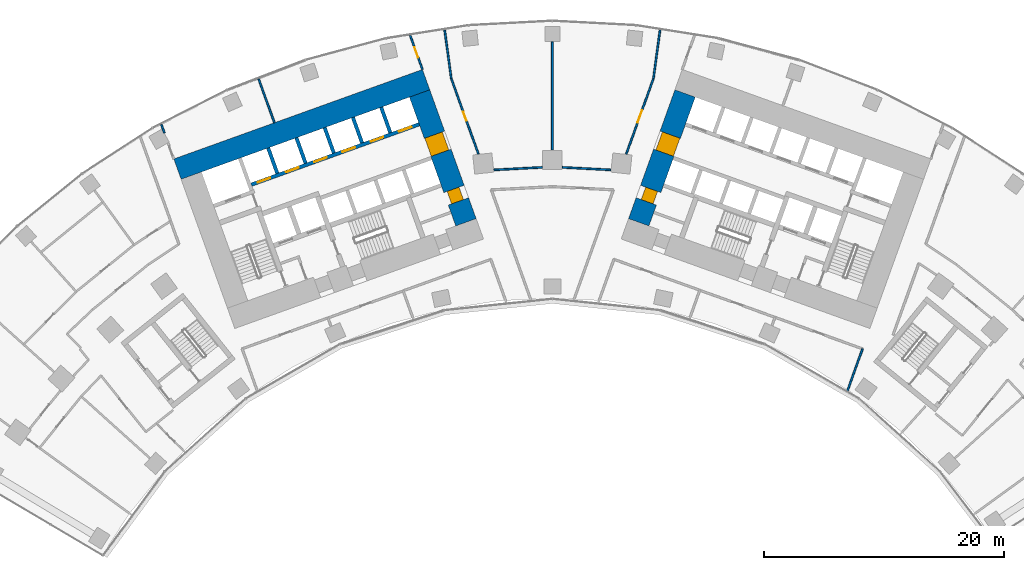
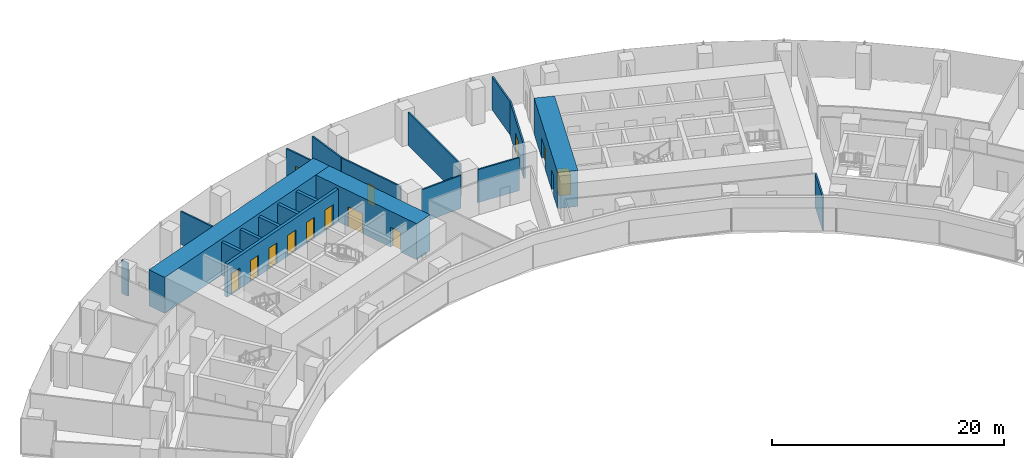
# One storey, part 16 of 21: 20 walls, 13 doors, 13 openings.
"""IFC4 building model written with IfcOpenShell, lengths in metres."""

from ifc_helpers import new_model, si_unit, direction, frame, frame_2d, origin, place, context, subcontext, project, spatial, rectangle, extrude, material, layer, layer_set, type_object, element, fill, save


model = new_model("IFC4")

# Units and contexts
model_context = context("Model", 3, precision=1e-05, world=origin(), true_north=direction((0.0, 1.0)))
body_context = subcontext(model_context, "Body", "Model", "MODEL_VIEW")
ifc_project = project(units=[si_unit("LENGTHUNIT", "METRE"), si_unit("AREAUNIT", "SQUARE_METRE"), si_unit("VOLUMEUNIT", "CUBIC_METRE"), si_unit("PLANEANGLEUNIT", "RADIAN"), si_unit("MASSUNIT", "GRAM", prefix="KILO")], contexts=[model_context])

# Site, building, storey
site_placement = place(None, origin())
site = spatial("IfcSite", under=ifc_project, at=site_placement, CompositionType="ELEMENT")
building_placement = place(site_placement, origin())
building = spatial("IfcBuilding", under=site, at=building_placement, Name="Stone Belt Terrace Tower", CompositionType="ELEMENT")
storey_placement = place(building_placement, frame((0.0, 0.0, 45.199951171875)))
storey = spatial("IfcBuildingStorey", under=building, at=storey_placement, Name="L10", CompositionType="ELEMENT", Elevation=45.199951171875)

# Wall
ifc_material_1 = material(Name="Concrete B80", Category="concrete")
ifc_layer_1 = layer(ifc_material_1, 1.800048828125)
ifc_layer_set_1 = layer_set([ifc_layer_1], Name="Core wall 1800 B80")
wall_type_1 = type_object("IfcWallType", Name="Core wall 1800 B80", PredefinedType="SHEAR", material=ifc_layer_set_1)
wall_1_placement = place(storey_placement, frame((-31.20947265625, 54.23583984375, 0.0), z_axis=(0.0, 0.0, 1.0), x_axis=(0.940922914687, 0.338620833112, 0.0)))
element("IfcWall", 1, at=wall_1_placement, inside=storey, type_object=wall_type_1, Name="Core A wall convex L10", PredefinedType="SHEAR", context=body_context, shape_type="SweptSolid", body=[
    extrude(rectangle(XDim=22.000244140625, YDim=1.800048828125, at=frame_2d((11.0, 0.0))), origin(), (0.0, 0.0, 1.0), 3.800048828125),
])

# Wall, openings, doors
wall_2_placement = place(storey_placement, frame((-7.19091796875, 49.8076171875, 0.0), z_axis=(0.0, 0.0, 1.0), x_axis=(-0.338632255135, 0.940918804033, 0.0)))
wall_2 = element("IfcWall", 2, at=wall_2_placement, inside=storey, type_object=wall_type_1, Name="Core A wall end_b L10", PredefinedType="SHEAR", context=body_context, shape_type="SweptSolid", body=[
    extrude(rectangle(XDim=11.39990234375, YDim=1.800048828125, at=frame_2d((5.699951171875, 0.0))), origin(), (0.0, 0.0, 1.0), 3.800048828125),
])
opening_1_placement = place(wall_2_placement, frame((6.14990234375, 0.0, 0.0)))
opening_1 = element("IfcOpeningElement", 3, at=opening_1_placement, cuts=wall_2, Name="Opening L10-C02", PredefinedType="OPENING", context=body_context, shape_type="SweptSolid", body=[
    extrude(rectangle(XDim=1.60009765625, YDim=2.10009765625, at=frame_2d((0.800048828125, 1.050048828125))), frame((0.0, 0.909912109375, 0.0), z_axis=(0.0, -1.0, 0.0), x_axis=(1.0, 0.0, 0.0)), (0.0, 0.0, 1.0), 1.820068359375),
])
opening_2_placement = place(wall_2_placement, frame((1.85009765625, 0.0, 0.0)))
opening_2 = element("IfcOpeningElement", 4, at=opening_2_placement, cuts=wall_2, Name="Opening L10-C08", PredefinedType="OPENING", context=body_context, shape_type="SweptSolid", body=[
    extrude(rectangle(XDim=1.10009765625, YDim=2.10009765625, at=frame_2d((0.550048828125, 1.050048828125))), frame((0.0, 0.909912109375, 0.0), z_axis=(0.0, -1.0, 0.0), x_axis=(1.0, 0.0, 0.0)), (0.0, 0.0, 1.0), 1.820068359375),
])
ifc_material_2 = material(Name="Timber door leaf", Category="wood")
door_type_1 = type_object("IfcDoorType", Name="Core room door 1100", OperationType="SINGLE_SWING_LEFT", PredefinedType="DOOR", material=ifc_material_2)
door_1_placement = place(opening_2_placement, origin())
door_1 = element("IfcDoor", 5, at=door_1_placement, inside=storey, type_object=door_type_1, Name="Door to Accessible WC core A", OperationType="SINGLE_SWING_LEFT", OverallHeight=2.10009765625, OverallWidth=1.10009765625, PredefinedType="DOOR", context=body_context, shape_type="SweptSolid", body=[
    extrude(rectangle(XDim=1.10009765625, YDim=2.10009765625, at=frame_2d((0.550048828125, 1.050048828125))), frame((0.0, 0.60498046875, 0.0), z_axis=(0.0, -1.0, 0.0), x_axis=(1.0, 0.0, 0.0)), (0.0, 0.0, 1.0), 1.050048828125),
])
fill(opening_2, door_1)
ifc_material_3 = material(Name="Glazed aluminium door leaf", Category="aluminium")
door_type_2 = type_object("IfcDoorType", Name="Lift lobby entrance door 1600", OperationType="DOUBLE_DOOR_SINGLE_SWING", PredefinedType="DOOR", material=ifc_material_3)
door_2_placement = place(opening_1_placement, origin())
door_2 = element("IfcDoor", 6, at=door_2_placement, inside=storey, type_object=door_type_2, Name="Lift lobby entrance door core A", OperationType="DOUBLE_DOOR_SINGLE_SWING", OverallHeight=2.10009765625, OverallWidth=1.60009765625, PredefinedType="DOOR", context=body_context, shape_type="SweptSolid", body=[
    extrude(rectangle(XDim=1.60009765625, YDim=2.10009765625, at=frame_2d((0.800048828125, 1.050048828125))), frame((0.0, 0.85498046875, 0.0), z_axis=(0.0, -1.0, 0.0), x_axis=(1.0, 0.0, 0.0)), (0.0, 0.0, 1.0), 1.550048828125),
])
fill(opening_1, door_2)

wall_3_placement = place(storey_placement, frame((7.19091796875, 49.8076171875, 0.0), z_axis=(0.0, 0.0, 1.0), x_axis=(0.338632255135, 0.940918804033, 0.0)))
wall_3 = element("IfcWall", 7, at=wall_3_placement, inside=storey, type_object=wall_type_1, Name="Core B wall end_a L10", PredefinedType="SHEAR", context=body_context, shape_type="SweptSolid", body=[
    extrude(rectangle(XDim=11.39990234375, YDim=1.800048828125, at=frame_2d((5.699951171875, 0.0))), origin(), (0.0, 0.0, 1.0), 3.800048828125),
])
opening_3_placement = place(wall_3_placement, frame((6.14990234375, 0.0, 0.0)))
opening_3 = element("IfcOpeningElement", 8, at=opening_3_placement, cuts=wall_3, Name="Opening L10-C11", PredefinedType="OPENING", context=body_context, shape_type="SweptSolid", body=[
    extrude(rectangle(XDim=1.60009765625, YDim=2.10009765625, at=frame_2d((0.800048828125, 1.050048828125))), frame((0.0, 0.909912109375, 0.0), z_axis=(0.0, -1.0, 0.0), x_axis=(1.0, 0.0, 0.0)), (0.0, 0.0, 1.0), 1.820068359375),
])
opening_4_placement = place(wall_3_placement, frame((1.85009765625, 0.0, 0.0)))
opening_4 = element("IfcOpeningElement", 9, at=opening_4_placement, cuts=wall_3, Name="Opening L10-C17", PredefinedType="OPENING", context=body_context, shape_type="SweptSolid", body=[
    extrude(rectangle(XDim=1.10009765625, YDim=2.10009765625, at=frame_2d((0.550048828125, 1.050048828125))), frame((0.0, 0.909912109375, 0.0), z_axis=(0.0, -1.0, 0.0), x_axis=(1.0, 0.0, 0.0)), (0.0, 0.0, 1.0), 1.820068359375),
])
door_3_placement = place(opening_4_placement, origin())
door_3 = element("IfcDoor", 10, at=door_3_placement, inside=storey, type_object=door_type_1, Name="Door to Accessible WC core B", OperationType="SINGLE_SWING_RIGHT", OverallHeight=2.10009765625, OverallWidth=1.10009765625, PredefinedType="DOOR", context=body_context, shape_type="SweptSolid", body=[
    extrude(rectangle(XDim=1.10009765625, YDim=2.10009765625, at=frame_2d((0.550048828125, 1.050048828125))), frame((0.0, 0.44482421875, 0.0), z_axis=(0.0, -1.0, 0.0), x_axis=(1.0, 0.0, 0.0)), (0.0, 0.0, 1.0), 1.050048828125),
])
fill(opening_4, door_3)
door_4_placement = place(opening_3_placement, origin())
door_4 = element("IfcDoor", 11, at=door_4_placement, inside=storey, type_object=door_type_2, Name="Lift lobby entrance door core B", OperationType="DOUBLE_DOOR_SINGLE_SWING", OverallHeight=2.10009765625, OverallWidth=1.60009765625, PredefinedType="DOOR", context=body_context, shape_type="SweptSolid", body=[
    extrude(rectangle(XDim=1.60009765625, YDim=2.10009765625, at=frame_2d((0.800048828125, 1.050048828125))), frame((0.0, 0.69482421875, 0.0), z_axis=(0.0, -1.0, 0.0), x_axis=(1.0, 0.0, 0.0)), (0.0, 0.0, 1.0), 1.550048828125),
])
fill(opening_3, door_4)

ifc_layer_2 = layer(ifc_material_1, 0.300048828125)
ifc_layer_set_2 = layer_set([ifc_layer_2], Name="Lift shaft wall 300")
wall_type_2 = type_object("IfcWallType", Name="Lift shaft wall 300", PredefinedType="SHEAR", material=ifc_layer_set_2)
wall_4_placement = place(storey_placement, frame((-25.05810546875, 52.9423828125, 0.0), z_axis=(0.0, 0.0, 1.0), x_axis=(0.940918215764, 0.338633889685, 0.0)))
wall_4 = element("IfcWall", 12, at=wall_4_placement, inside=storey, type_object=wall_type_2, Name="Core A wall", PredefinedType="SHEAR", context=body_context, shape_type="SweptSolid", body=[
    extrude(rectangle(XDim=14.850341796875, YDim=0.300048828125, at=frame_2d((7.42529296875, 0.0))), origin(), (0.0, 0.0, 1.0), 3.47998046875),
])
opening_5_placement = place(wall_4_placement, frame((0.570068359375, 0.0, 0.0)))
opening_5 = element("IfcOpeningElement", 13, at=opening_5_placement, cuts=wall_4, Name="Opening L10-LD01", PredefinedType="OPENING", context=body_context, shape_type="SweptSolid", body=[
    extrude(rectangle(XDim=1.10009765625, YDim=2.199951171875, at=frame_2d((0.550048828125, 1.10009765625))), frame((0.0, 0.159912109375, 0.0), z_axis=(0.0, -1.0, 0.0), x_axis=(1.0, 0.0, 0.0)), (0.0, 0.0, 1.0), 0.320068359375),
])
opening_6_placement = place(wall_4_placement, frame((3.070068359375, 0.0, 0.0)))
opening_6 = element("IfcOpeningElement", 14, at=opening_6_placement, cuts=wall_4, Name="Opening L10-LD02", PredefinedType="OPENING", context=body_context, shape_type="SweptSolid", body=[
    extrude(rectangle(XDim=1.10009765625, YDim=2.199951171875, at=frame_2d((0.550048828125, 1.10009765625))), frame((0.0, 0.159912109375, 0.0), z_axis=(0.0, -1.0, 0.0), x_axis=(1.0, 0.0, 0.0)), (0.0, 0.0, 1.0), 0.320068359375),
])
opening_7_placement = place(wall_4_placement, frame((5.570068359375, 0.0, 0.0)))
opening_7 = element("IfcOpeningElement", 15, at=opening_7_placement, cuts=wall_4, Name="Opening L10-LD03", PredefinedType="OPENING", context=body_context, shape_type="SweptSolid", body=[
    extrude(rectangle(XDim=1.10009765625, YDim=2.199951171875, at=frame_2d((0.550048828125, 1.10009765625))), frame((0.0, 0.159912109375, 0.0), z_axis=(0.0, -1.0, 0.0), x_axis=(1.0, 0.0, 0.0)), (0.0, 0.0, 1.0), 0.320068359375),
])
opening_8_placement = place(wall_4_placement, frame((8.070068359375, 0.0, 0.0)))
opening_8 = element("IfcOpeningElement", 16, at=opening_8_placement, cuts=wall_4, Name="Opening L10-LD04", PredefinedType="OPENING", context=body_context, shape_type="SweptSolid", body=[
    extrude(rectangle(XDim=1.10009765625, YDim=2.199951171875, at=frame_2d((0.550048828125, 1.10009765625))), frame((0.0, 0.159912109375, 0.0), z_axis=(0.0, -1.0, 0.0), x_axis=(1.0, 0.0, 0.0)), (0.0, 0.0, 1.0), 0.320068359375),
])
opening_9_placement = place(wall_4_placement, frame((10.570068359375, 0.0, 0.0)))
opening_9 = element("IfcOpeningElement", 17, at=opening_9_placement, cuts=wall_4, Name="Opening L10-LD05", PredefinedType="OPENING", context=body_context, shape_type="SweptSolid", body=[
    extrude(rectangle(XDim=1.10009765625, YDim=2.199951171875, at=frame_2d((0.550048828125, 1.10009765625))), frame((0.0, 0.159912109375, 0.0), z_axis=(0.0, -1.0, 0.0), x_axis=(1.0, 0.0, 0.0)), (0.0, 0.0, 1.0), 0.320068359375),
])
opening_10_placement = place(wall_4_placement, frame((13.070068359375, 0.0, 0.0)))
opening_10 = element("IfcOpeningElement", 18, at=opening_10_placement, cuts=wall_4, Name="Opening L10-LD06", PredefinedType="OPENING", context=body_context, shape_type="SweptSolid", body=[
    extrude(rectangle(XDim=1.10009765625, YDim=2.199951171875, at=frame_2d((0.550048828125, 1.10009765625))), frame((0.0, 0.159912109375, 0.0), z_axis=(0.0, -1.0, 0.0), x_axis=(1.0, 0.0, 0.0)), (0.0, 0.0, 1.0), 0.320068359375),
])
ifc_material_4 = material(Name="Stainless steel door leaf", Category="steel")
door_type_3 = type_object("IfcDoorType", Name="Landing door 1100", OperationType="SLIDING_TO_LEFT", PredefinedType="DOOR", material=ifc_material_4)
door_5_placement = place(opening_5_placement, origin())
door_5 = element("IfcDoor", 19, at=door_5_placement, inside=storey, type_object=door_type_3, Name="Landing door LR1 core A", OperationType="SLIDING_TO_LEFT", OverallHeight=2.199951171875, OverallWidth=1.10009765625, PredefinedType="DOOR", context=body_context, shape_type="SweptSolid", body=[
    extrude(rectangle(XDim=1.10009765625, YDim=2.199951171875, at=frame_2d((0.550048828125, 1.10009765625))), frame((0.0, 0.02490234375, 0.0), z_axis=(0.0, -1.0, 0.0), x_axis=(1.0, 0.0, 0.0)), (0.0, 0.0, 1.0), 0.050048828125),
])
fill(opening_5, door_5)
door_6_placement = place(opening_6_placement, origin())
door_6 = element("IfcDoor", 20, at=door_6_placement, inside=storey, type_object=door_type_3, Name="Landing door LR2 core A", OperationType="SLIDING_TO_LEFT", OverallHeight=2.199951171875, OverallWidth=1.10009765625, PredefinedType="DOOR", context=body_context, shape_type="SweptSolid", body=[
    extrude(rectangle(XDim=1.10009765625, YDim=2.199951171875, at=frame_2d((0.550048828125, 1.10009765625))), frame((0.0, 0.02490234375, 0.0), z_axis=(0.0, -1.0, 0.0), x_axis=(1.0, 0.0, 0.0)), (0.0, 0.0, 1.0), 0.050048828125),
])
fill(opening_6, door_6)
door_7_placement = place(opening_7_placement, origin())
door_7 = element("IfcDoor", 21, at=door_7_placement, inside=storey, type_object=door_type_3, Name="Landing door LR3 core A", OperationType="SLIDING_TO_LEFT", OverallHeight=2.199951171875, OverallWidth=1.10009765625, PredefinedType="DOOR", context=body_context, shape_type="SweptSolid", body=[
    extrude(rectangle(XDim=1.10009765625, YDim=2.199951171875, at=frame_2d((0.550048828125, 1.10009765625))), frame((0.0, 0.02490234375, 0.0), z_axis=(0.0, -1.0, 0.0), x_axis=(1.0, 0.0, 0.0)), (0.0, 0.0, 1.0), 0.050048828125),
])
fill(opening_7, door_7)
door_8_placement = place(opening_8_placement, origin())
door_8 = element("IfcDoor", 22, at=door_8_placement, inside=storey, type_object=door_type_3, Name="Landing door LR4 core A", OperationType="SLIDING_TO_LEFT", OverallHeight=2.199951171875, OverallWidth=1.10009765625, PredefinedType="DOOR", context=body_context, shape_type="SweptSolid", body=[
    extrude(rectangle(XDim=1.10009765625, YDim=2.199951171875, at=frame_2d((0.550048828125, 1.10009765625))), frame((0.0, 0.02490234375, 0.0), z_axis=(0.0, -1.0, 0.0), x_axis=(1.0, 0.0, 0.0)), (0.0, 0.0, 1.0), 0.050048828125),
])
fill(opening_8, door_8)
door_9_placement = place(opening_9_placement, origin())
door_9 = element("IfcDoor", 23, at=door_9_placement, inside=storey, type_object=door_type_3, Name="Landing door LR5 core A", OperationType="SLIDING_TO_LEFT", OverallHeight=2.199951171875, OverallWidth=1.10009765625, PredefinedType="DOOR", context=body_context, shape_type="SweptSolid", body=[
    extrude(rectangle(XDim=1.10009765625, YDim=2.199951171875, at=frame_2d((0.550048828125, 1.10009765625))), frame((0.0, 0.02490234375, 0.0), z_axis=(0.0, -1.0, 0.0), x_axis=(1.0, 0.0, 0.0)), (0.0, 0.0, 1.0), 0.050048828125),
])
fill(opening_9, door_9)
door_10_placement = place(opening_10_placement, origin())
door_10 = element("IfcDoor", 24, at=door_10_placement, inside=storey, type_object=door_type_3, Name="Landing door LR6 core A", OperationType="SLIDING_TO_LEFT", OverallHeight=2.199951171875, OverallWidth=1.10009765625, PredefinedType="DOOR", context=body_context, shape_type="SweptSolid", body=[
    extrude(rectangle(XDim=1.10009765625, YDim=2.199951171875, at=frame_2d((0.550048828125, 1.10009765625))), frame((0.0, 0.02490234375, 0.0), z_axis=(0.0, -1.0, 0.0), x_axis=(1.0, 0.0, 0.0)), (0.0, 0.0, 1.0), 0.050048828125),
])
fill(opening_10, door_10)

# Walls
wall_5_placement = place(storey_placement, frame((-22.897705078125, 53.87939453125, 0.0), z_axis=(0.0, 0.0, 1.0), x_axis=(-0.338535034312, 0.940953787677, 0.0)))
element("IfcWall", 25, at=wall_5_placement, inside=storey, type_object=wall_type_2, Name="Core A wall", PredefinedType="SHEAR", context=body_context, shape_type="SweptSolid", body=[
    extrude(rectangle(XDim=2.25, YDim=0.300048828125, at=frame_2d((1.125, 0.0))), origin(), (0.0, 0.0, 1.0), 3.47998046875),
])
wall_6_placement = place(storey_placement, frame((-20.54541015625, 54.72607421875, 0.0), z_axis=(0.0, 0.0, 1.0), x_axis=(-0.338569601369, 0.940941350472, 0.0)))
element("IfcWall", 26, at=wall_6_placement, inside=storey, type_object=wall_type_2, Name="Core A wall", PredefinedType="SHEAR", context=body_context, shape_type="SweptSolid", body=[
    extrude(rectangle(XDim=2.249755859375, YDim=0.300048828125, at=frame_2d((1.125, 0.0))), origin(), (0.0, 0.0, 1.0), 3.47998046875),
])
wall_7_placement = place(storey_placement, frame((-18.193115234375, 55.572509765625, 0.0), z_axis=(0.0, 0.0, 1.0), x_axis=(-0.338535034312, 0.940953787677, 0.0)))
element("IfcWall", 27, at=wall_7_placement, inside=storey, type_object=wall_type_2, Name="Core A wall", PredefinedType="SHEAR", context=body_context, shape_type="SweptSolid", body=[
    extrude(rectangle(XDim=2.25, YDim=0.300048828125, at=frame_2d((1.125, 0.0))), origin(), (0.0, 0.0, 1.0), 3.47998046875),
])
wall_8_placement = place(storey_placement, frame((-15.8408203125, 56.419189453125, 0.0), z_axis=(0.0, 0.0, 1.0), x_axis=(-0.338569601369, 0.940941350472, 0.0)))
element("IfcWall", 28, at=wall_8_placement, inside=storey, type_object=wall_type_2, Name="Core A wall", PredefinedType="SHEAR", context=body_context, shape_type="SweptSolid", body=[
    extrude(rectangle(XDim=2.249755859375, YDim=0.300048828125, at=frame_2d((1.125, 0.0))), origin(), (0.0, 0.0, 1.0), 3.47998046875),
])
wall_9_placement = place(storey_placement, frame((-13.48828125, 57.265625, 0.0), z_axis=(0.0, 0.0, 1.0), x_axis=(-0.338631098537, 0.940919220286, 0.0)))
element("IfcWall", 29, at=wall_9_placement, inside=storey, type_object=wall_type_2, Name="Core A wall", PredefinedType="SHEAR", context=body_context, shape_type="SweptSolid", body=[
    extrude(rectangle(XDim=2.250244140625, YDim=0.300048828125, at=frame_2d((1.125, 0.0))), origin(), (0.0, 0.0, 1.0), 3.47998046875),
])
ifc_material_5 = material(Name="Gypsum board partition")
ifc_layer_3 = layer(ifc_material_5, 0.14990234375)
ifc_layer_set_3 = layer_set([ifc_layer_3], Name="PARTITION 150 EI 60")
wall_type_3 = type_object("IfcWallType", Name="PARTITION 150 EI 60", PredefinedType="PARTITIONING", material=ifc_layer_set_3)
wall_10_placement = place(storey_placement, frame((-32.5458984375, 57.947998046875, 0.0), z_axis=(0.0, 0.0, 1.0), x_axis=(0.338960201827, -0.940800712998, 0.0)))
element("IfcWall", 30, at=wall_10_placement, inside=storey, type_object=wall_type_3, Name="L10/wall/i002", PredefinedType="PARTITIONING", context=body_context, shape_type="SweptSolid", body=[
    extrude(rectangle(XDim=0.754150390625, YDim=0.14990234375, at=frame_2d((0.376953125, 0.0))), origin(), (0.0, 0.0, 1.0), 3.47998046875),
])

# Wall, opening, door
wall_11_placement = place(storey_placement, frame((-10.81396484375, 62.531982421875, 0.0), z_axis=(0.0, 0.0, 1.0), x_axis=(-0.338630302468, 0.940919506786, 0.0)))
wall_11 = element("IfcWall", 31, at=wall_11_placement, inside=storey, type_object=wall_type_3, Name="L10/wall/i007", PredefinedType="PARTITIONING", context=body_context, shape_type="SweptSolid", body=[
    extrude(rectangle(XDim=3.005615234375, YDim=0.14990234375, at=frame_2d((1.5029296875, 0.0))), origin(), (0.0, 0.0, 1.0), 3.47998046875),
])
opening_11_placement = place(wall_11_placement, frame((1.052734375, 0.0, 0.0)))
opening_11 = element("IfcOpeningElement", 32, at=opening_11_placement, cuts=wall_11, Name="Opening D-A3-05", PredefinedType="OPENING", context=body_context, shape_type="SweptSolid", body=[
    extrude(rectangle(XDim=0.89990234375, YDim=2.10009765625, at=frame_2d((0.449951171875, 1.050048828125))), frame((0.0, 0.0849609375, 0.0), z_axis=(0.0, -1.0, 0.0), x_axis=(1.0, 0.0, 0.0)), (0.0, 0.0, 1.0), 0.169921875),
])
door_type_4 = type_object("IfcDoorType", Name="OFFICE DOOR 900 X 2100", OperationType="NOTDEFINED", PredefinedType="DOOR", material=ifc_material_2)
door_11_placement = place(opening_11_placement, origin())
door_11 = element("IfcDoor", 33, at=door_11_placement, inside=storey, type_object=door_type_4, Name="L10/door/i05", OperationType="SINGLE_SWING_RIGHT", OverallHeight=2.10009765625, OverallWidth=0.89990234375, PredefinedType="DOOR", context=body_context, shape_type="SweptSolid", body=[
    extrude(rectangle(XDim=0.89990234375, YDim=2.10009765625, at=frame_2d((0.449951171875, 1.050048828125))), frame((0.0, 0.02490234375, 0.0), z_axis=(0.0, -1.0, 0.0), x_axis=(1.0, 0.0, 0.0)), (0.0, 0.0, 1.0), 0.050048828125),
])
fill(opening_11, door_11)

# Wall
wall_12_placement = place(storey_placement, frame((-8.964599609375, 65.815185546875, 0.0), z_axis=(0.0, 0.0, 1.0), x_axis=(0.134854339568, -0.990865433396, 0.0)))
element("IfcWall", 34, at=wall_12_placement, inside=storey, type_object=wall_type_3, Name="L10/wall/i009", PredefinedType="PARTITIONING", context=body_context, shape_type="SweptSolid", body=[
    extrude(rectangle(XDim=4.08251953125, YDim=0.14990234375, at=frame_2d((2.041259765625, 0.0))), origin(), (0.0, 0.0, 1.0), 3.47998046875),
])

# Wall, opening, door
wall_13_placement = place(storey_placement, frame((-8.4140625, 61.76904296875, 0.0), z_axis=(0.0, 0.0, 1.0), x_axis=(0.338630067573, -0.940919591323, 0.0)))
wall_13 = element("IfcWall", 35, at=wall_13_placement, inside=storey, type_object=wall_type_3, Name="L10/wall/i010", PredefinedType="PARTITIONING", context=body_context, shape_type="SweptSolid", body=[
    extrude(rectangle(XDim=6.672607421875, YDim=0.14990234375, at=frame_2d((3.33642578125, 0.0))), origin(), (0.0, 0.0, 1.0), 3.47998046875),
])
opening_12_placement = place(wall_13_placement, frame((2.936279296875, 0.0, 0.0)))
opening_12 = element("IfcOpeningElement", 36, at=opening_12_placement, cuts=wall_13, Name="Opening D-A3-28", PredefinedType="OPENING", context=body_context, shape_type="SweptSolid", body=[
    extrude(rectangle(XDim=0.800048828125, YDim=2.10009765625, at=frame_2d((0.39990234375, 1.050048828125))), frame((0.0, 0.0849609375, 0.0), z_axis=(0.0, -1.0, 0.0), x_axis=(1.0, 0.0, 0.0)), (0.0, 0.0, 1.0), 0.169921875),
])
door_type_5 = type_object("IfcDoorType", Name="STORE DOOR 800 X 2100", OperationType="NOTDEFINED", PredefinedType="DOOR", material=ifc_material_2)
door_12_placement = place(opening_12_placement, origin())
door_12 = element("IfcDoor", 37, at=door_12_placement, inside=storey, type_object=door_type_5, Name="L10/door/i28", OperationType="SINGLE_SWING_RIGHT", OverallHeight=2.10009765625, OverallWidth=0.800048828125, PredefinedType="DOOR", context=body_context, shape_type="SweptSolid", body=[
    extrude(rectangle(XDim=0.800048828125, YDim=2.10009765625, at=frame_2d((0.39990234375, 1.050048828125))), frame((0.0, 0.02490234375, 0.0), z_axis=(0.0, -1.0, 0.0), x_axis=(1.0, 0.0, 0.0)), (0.0, 0.0, 1.0), 0.050048828125),
])
fill(opening_12, door_12)

# Wall
wall_14_placement = place(storey_placement, frame((-24.451904296875, 61.7470703125, 0.0), z_axis=(0.0, 0.0, 1.0), x_axis=(0.338699412, -0.940894631886, 0.0)))
element("IfcWall", 38, at=wall_14_placement, inside=storey, type_object=wall_type_3, Name="L10/wall/i016", PredefinedType="PARTITIONING", context=body_context, shape_type="SweptSolid", body=[
    extrude(rectangle(XDim=3.87939453125, YDim=0.14990234375, at=frame_2d((1.939697265625, 0.0))), origin(), (0.0, 0.0, 1.0), 3.47998046875),
])

# Wall, opening, door
wall_15_placement = place(storey_placement, frame((6.154541015625, 55.49072265625, 0.0), z_axis=(0.0, 0.0, 1.0), x_axis=(0.338630067573, 0.940919591323, 0.0)))
wall_15 = element("IfcWall", 39, at=wall_15_placement, inside=storey, type_object=wall_type_3, Name="L10/wall/i020", PredefinedType="PARTITIONING", context=body_context, shape_type="SweptSolid", body=[
    extrude(rectangle(XDim=6.672607421875, YDim=0.14990234375, at=frame_2d((3.33642578125, 0.0))), origin(), (0.0, 0.0, 1.0), 3.47998046875),
])
opening_13_placement = place(wall_15_placement, frame((2.786376953125, 0.0, 0.0)))
opening_13 = element("IfcOpeningElement", 40, at=opening_13_placement, cuts=wall_15, Name="Opening D-A3-29", PredefinedType="OPENING", context=body_context, shape_type="SweptSolid", body=[
    extrude(rectangle(XDim=1.10009765625, YDim=2.10009765625, at=frame_2d((0.550048828125, 1.050048828125))), frame((0.0, 0.0849609375, 0.0), z_axis=(0.0, -1.0, 0.0), x_axis=(1.0, 0.0, 0.0)), (0.0, 0.0, 1.0), 0.169921875),
])
ifc_material_6 = material(Name="Steel fire door set", Category="steel")
door_type_6 = type_object("IfcDoorType", Name="SERVICE ROOM DOOR 1100 X 2100", OperationType="NOTDEFINED", PredefinedType="DOOR", material=ifc_material_6)
door_13_placement = place(opening_13_placement, origin())
door_13 = element("IfcDoor", 41, at=door_13_placement, inside=storey, type_object=door_type_6, Name="L10/door/i29", OperationType="SINGLE_SWING_RIGHT", OverallHeight=2.10009765625, OverallWidth=1.10009765625, PredefinedType="DOOR", context=body_context, shape_type="SweptSolid", body=[
    extrude(rectangle(XDim=1.10009765625, YDim=2.10009765625, at=frame_2d((0.550048828125, 1.050048828125))), frame((0.0, 0.02490234375, 0.0), z_axis=(0.0, -1.0, 0.0), x_axis=(1.0, 0.0, 0.0)), (0.0, 0.0, 1.0), 0.050048828125),
])
fill(opening_13, door_13)

# Walls
wall_16_placement = place(storey_placement, frame((8.4140625, 61.77001953125, 0.0), z_axis=(0.0, 0.0, 1.0), x_axis=(0.134854339568, 0.990865433396, 0.0)))
element("IfcWall", 42, at=wall_16_placement, inside=storey, type_object=wall_type_3, Name="L10/wall/i021", PredefinedType="PARTITIONING", context=body_context, shape_type="SweptSolid", body=[
    extrude(rectangle(XDim=4.08251953125, YDim=0.14990234375, at=frame_2d((2.041259765625, 0.0))), origin(), (0.0, 0.0, 1.0), 3.47998046875),
])
wall_17_placement = place(storey_placement, frame((24.56494140625, 35.771728515625, 0.0), z_axis=(0.0, 0.0, 1.0), x_axis=(0.338392582605, 0.941005026574, 0.0)))
element("IfcWall", 43, at=wall_17_placement, inside=storey, type_object=wall_type_3, Name="L10/wall/i022", PredefinedType="PARTITIONING", context=body_context, shape_type="SweptSolid", body=[
    extrude(rectangle(XDim=3.729248046875, YDim=0.14990234375, at=frame_2d((1.86474609375, 0.0))), origin(), (0.0, 0.0, 1.0), 3.47998046875),
])
for number, where, z_axis, x_axis, name in (
    (44, (-4.85888671875, 54.170166015625, 0.0), (0.0, 0.0, 1.0), (0.998625841842, 0.052406373714, 0.0), "L10/wall/i084"),
    (45, (0.830078125, 54.381591796875, 0.0), (0.0, 0.0, 1.0), (0.998625841842, -0.052406373714, 0.0), "L10/wall/i085"),
):
    element("IfcWall", number, at=place(storey_placement, frame(where, z_axis=z_axis, x_axis=x_axis)), inside=storey, type_object=wall_type_3, Name=name, PredefinedType="PARTITIONING", context=body_context, shape_type="SweptSolid", body=[
        extrude(rectangle(XDim=4.034423828125, YDim=0.14990234375, at=frame_2d((2.01708984375, 0.0))), origin(), (0.0, 0.0, 1.0), 3.47998046875),
    ])
wall_18_placement = place(storey_placement, frame((0.0, 64.833984375, 0.0), z_axis=(0.0, 0.0, 1.0), x_axis=(0.0, -1.0, 0.0)))
element("IfcWall", 46, at=wall_18_placement, inside=storey, type_object=wall_type_3, Name="L10/wall/i086", PredefinedType="PARTITIONING", context=body_context, shape_type="SweptSolid", body=[
    extrude(rectangle(XDim=9.00390625, YDim=0.14990234375, at=frame_2d((4.501953125, 0.0))), origin(), (0.0, 0.0, 1.0), 3.47998046875),
])

save(model, "model.ifc")
